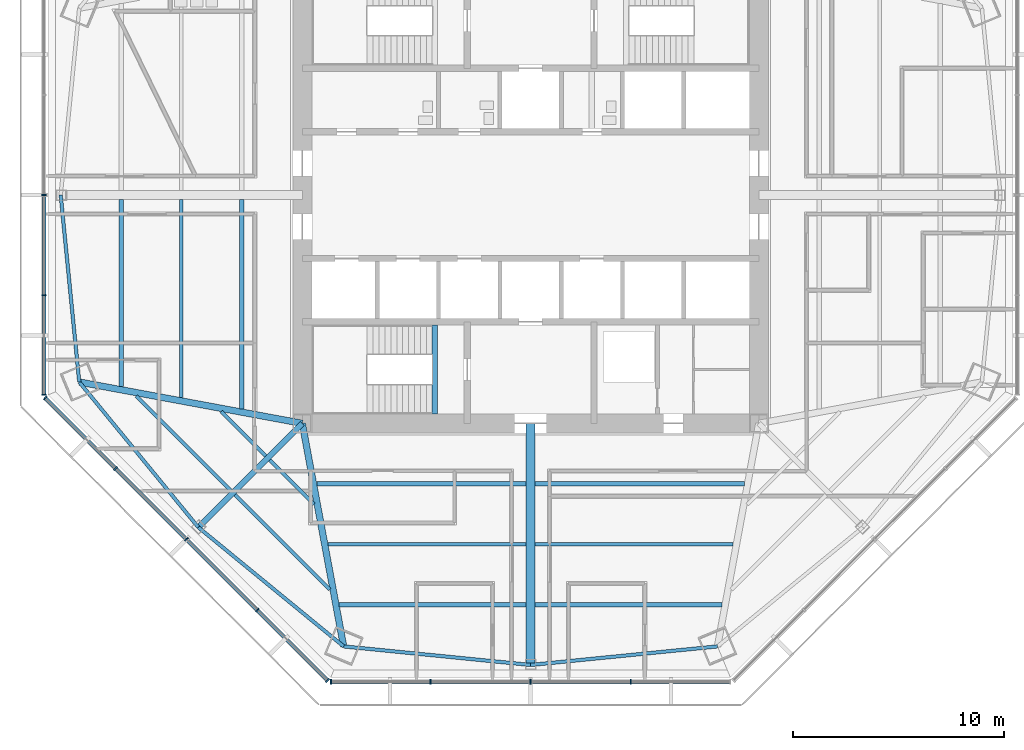
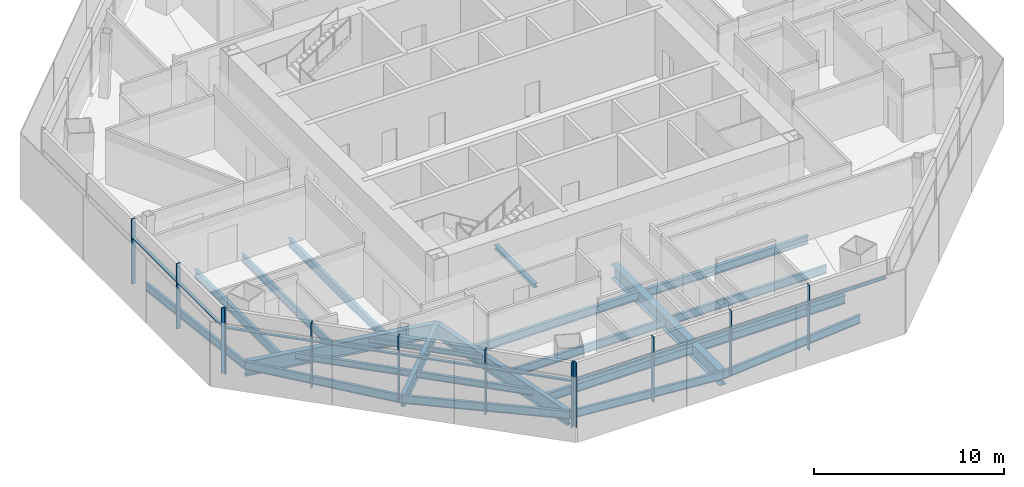
# One storey, part 2 of 15: 23 beams, 22 members, 3 elements without a shape of their own.
"""IFC4 building model written with IfcOpenShell, lengths in metres."""

from ifc_helpers import new_model, si_unit, direction, frame, origin, origin_2d, place, context, subcontext, project, spatial, rectangle, i_section, extrude, source, transform, mapped, material, material_profile, profile_set, type_object, type_shapes, element, aggregate, save


model = new_model("IFC4")

# Units and contexts
model_context = context("Model", 3, precision=1e-05, world=origin(), true_north=direction((0.0, 1.0)))
body_context = subcontext(model_context, "Body", "Model", "MODEL_VIEW")
ifc_project = project(units=[si_unit("LENGTHUNIT", "METRE"), si_unit("AREAUNIT", "SQUARE_METRE"), si_unit("VOLUMEUNIT", "CUBIC_METRE"), si_unit("PLANEANGLEUNIT", "RADIAN"), si_unit("MASSUNIT", "GRAM", prefix="KILO")], contexts=[model_context])

# Site, building, storey
site_placement = place(None, origin())
site = spatial("IfcSite", under=ifc_project, at=site_placement, CompositionType="ELEMENT")
building_placement = place(site_placement, origin())
building = spatial("IfcBuilding", under=site, at=building_placement, Name="Mashrafa Tower", CompositionType="ELEMENT")
storey_placement = place(building_placement, frame((0.0, 0.0, 176.39990234375)))
storey = spatial("IfcBuildingStorey", under=building, at=storey_placement, Name="L40", CompositionType="ELEMENT", Elevation=176.39990234375)

# Beams
ifc_material_1 = material(Name="Steel ASTM A992", Category="steel")
ifc_material_profile_1 = material_profile(ifc_material_1, i_section(OverallWidth=0.164794921875, OverallDepth=0.309814453125, WebThickness=0.005859375, FlangeThickness=0.009765625, FilletRadius=0.007568359375, at=origin_2d()), Name="W12X26")
ifc_profile_set_1 = profile_set([ifc_material_profile_1], Name="Steel ASTM A992")
beam_type_1 = type_object("IfcBeamType", Name="Beam W12X26", PredefinedType="BEAM", material=ifc_profile_set_1)
for number, where, z_axis, x_axis, name in (
    (1, (-12.53369140625, -12.34521484375, -0.31982421875), (-0.707106781187, 0.707106781187, 0.0), (-0.707106781187, -0.707106781187, 0.0), "Floor beam L40 011"),
    (2, (-10.24560546875, -14.63330078125, -0.31982421875), (-0.707106781187, 0.707106781187, 0.0), (-0.707106781187, -0.707106781187, 0.0), "Floor beam L40 014"),
):
    element("IfcBeam", number, at=place(storey_placement, frame(where, z_axis=z_axis, x_axis=x_axis)), inside=storey, type_object=beam_type_1, Name=name, PredefinedType="BEAM", context=body_context, shape_type="SweptSolid", body=[
        extrude(i_section(OverallWidth=0.164794921875, OverallDepth=0.309814453125, WebThickness=0.005859375, FlangeThickness=0.009765625, FilletRadius=0.007568359375, at=origin_2d()), origin(), (0.0, 0.0, 1.0), 2.96923828125),
    ])
ifc_material_2 = material(Name="Steel ASTM A992", Category="steel")
ifc_material_profile_2 = material_profile(ifc_material_2, i_section(OverallWidth=0.177734375, OverallDepth=0.406494140625, WebThickness=0.0078125, FlangeThickness=0.012939453125, FilletRadius=0.01025390625, at=origin_2d()), Name="W16X40")
ifc_profile_set_2 = profile_set([ifc_material_profile_2], Name="Steel ASTM A992")
beam_type_2 = type_object("IfcBeamType", Name="Beam W16X40", PredefinedType="BEAM", material=ifc_profile_set_2)
for number, where, z_axis, x_axis, name in (
    (3, (-14.17333984375, -13.984619140625, -0.3681640625), (-0.707126025591, 0.707087536258, 0.0), (-0.707087536258, -0.707126025591, 0.0), "Floor beam L40 007"),
    (4, (-9.49951171875, -18.65869140625, -0.3681640625), (-0.707087536258, 0.707126025591, 0.0), (-0.707126025591, -0.707087536258, 0.0), "Floor beam L40 016"),
):
    element("IfcBeam", number, at=place(storey_placement, frame(where, z_axis=z_axis, x_axis=x_axis)), inside=storey, type_object=beam_type_2, Name=name, PredefinedType="BEAM", context=body_context, shape_type="SweptSolid", body=[
        extrude(i_section(OverallWidth=0.177734375, OverallDepth=0.406494140625, WebThickness=0.0078125, FlangeThickness=0.012939453125, FilletRadius=0.01025390625, at=origin_2d()), origin(), (0.0, 0.0, 1.0), 6.343017578125),
    ])
ifc_material_3 = material(Name="Steel ASTM A992", Category="steel")
ifc_material_profile_3 = material_profile(ifc_material_3, i_section(OverallWidth=0.1650390625, OverallDepth=0.52587890625, WebThickness=0.0087890625, FlangeThickness=0.011474609375, FilletRadius=0.0126953125, at=origin_2d()), Name="W21X44")
ifc_profile_set_3 = profile_set([ifc_material_profile_3], Name="Steel ASTM A992")
beam_type_3 = type_object("IfcBeamType", Name="Beam W21X44", PredefinedType="BEAM", material=ifc_profile_set_3)
for number, where, z_axis, x_axis, name in (
    (5, (-16.5146484375, -9.584228515625, -0.427734375), (0.0, 1.0, 0.0), (-1.0, 0.0, 0.0), "Floor beam L40 004"),
    (6, (-0.20947265625, -16.5146484375, -0.427734375), (-1.0, 0.0, 0.0), (0.0, -1.0, 0.0), "Floor beam L40 019"),
    (7, (9.584228515625, -16.5146484375, -0.427734375), (-1.0, 0.0, 0.0), (0.0, -1.0, 0.0), "Floor beam L40 026"),
):
    element("IfcBeam", number, at=place(storey_placement, frame(where, z_axis=z_axis, x_axis=x_axis)), inside=storey, type_object=beam_type_3, Name=name, PredefinedType="BEAM", context=body_context, shape_type="SweptSolid", body=[
        extrude(i_section(OverallWidth=0.1650390625, OverallDepth=0.52587890625, WebThickness=0.0087890625, FlangeThickness=0.011474609375, FilletRadius=0.0126953125, at=origin_2d()), origin(), (0.0, 0.0, 1.0), 9.374755859375),
    ])
for number, where, z_axis, x_axis, name in (
    (8, (-22.229248046875, 0.0, -0.427734375), (0.098810141474, -0.99510630384, 0.0), (0.99510630384, 0.098810141474, 0.0), "Spandrel beam L40 057"),
    (9, (-21.35107421875, -8.843994140625, -0.427734375), (0.633774674835, -0.773517718955, 0.0), (0.773517718955, 0.633774674835, 0.0), "Spandrel beam L40 058"),
    (10, (-15.718505859375, -15.718505859375, -0.427734375), (0.773517718955, -0.633774674835, 0.0), (0.633774674835, 0.773517718955, 0.0), "Spandrel beam L40 060"),
    (11, (-8.843994140625, -21.35107421875, -0.427734375), (0.99510630384, -0.098810141474, 0.0), (0.098810141474, 0.99510630384, 0.0), "Spandrel beam L40 062"),
    (12, (0.0, -22.229248046875, -0.427734375), (0.99510630384, 0.098810141474, 0.0), (-0.098810141474, 0.99510630384, 0.0), "Spandrel beam L40 064"),
):
    element("IfcBeam", number, at=place(storey_placement, frame(where, z_axis=z_axis, x_axis=x_axis)), inside=storey, type_object=beam_type_3, Name=name, PredefinedType="BEAM", context=body_context, shape_type="SweptSolid", body=[
        extrude(i_section(OverallWidth=0.1650390625, OverallDepth=0.52587890625, WebThickness=0.0087890625, FlangeThickness=0.011474609375, FilletRadius=0.0126953125, at=origin_2d()), origin(), (0.0, 0.0, 1.0), 8.887451171875),
    ])
ifc_material_4 = material(Name="Steel ASTM A992", Category="steel")
ifc_material_profile_4 = material_profile(ifc_material_4, i_section(OverallWidth=0.209228515625, OverallDepth=0.533447265625, WebThickness=0.01025390625, FlangeThickness=0.015625, FilletRadius=0.012939453125, at=origin_2d()), Name="W21X62")
ifc_profile_set_4 = profile_set([ifc_material_profile_4], Name="Steel ASTM A992")
beam_type_4 = type_object("IfcBeamType", Name="Beam W21X62", PredefinedType="BEAM", material=ifc_profile_set_4)
beam_1_placement = place(storey_placement, frame((-19.3720703125, -9.054443359375, -0.431640625), z_axis=(0.0, 1.0, 0.0), x_axis=(-1.0, 0.0, 0.0)))
element("IfcBeam", 13, at=beam_1_placement, inside=storey, type_object=beam_type_4, Name="Floor beam L40 001", PredefinedType="BEAM", context=body_context, shape_type="SweptSolid", body=[
    extrude(i_section(OverallWidth=0.209228515625, OverallDepth=0.533447265625, WebThickness=0.01025390625, FlangeThickness=0.015625, FilletRadius=0.012939453125, at=origin_2d()), origin(), (0.0, 0.0, 1.0), 8.844970703125),
])
beam_2_placement = place(storey_placement, frame((-13.6572265625, -10.114013671875, -0.431640625), z_axis=(0.0, 1.0, 0.0), x_axis=(-1.0, 0.0, 0.0)))
element("IfcBeam", 14, at=beam_2_placement, inside=storey, type_object=beam_type_4, Name="Floor beam L40 009", PredefinedType="BEAM", context=body_context, shape_type="SweptSolid", body=[
    extrude(i_section(OverallWidth=0.209228515625, OverallDepth=0.533447265625, WebThickness=0.01025390625, FlangeThickness=0.015625, FilletRadius=0.012939453125, at=origin_2d()), origin(), (0.0, 0.0, 1.0), 9.904541015625),
])
beam_3_placement = place(storey_placement, frame((-0.20947265625, -19.3720703125, -0.431640625), z_axis=(-1.0, 0.0, 0.0), x_axis=(0.0, -1.0, 0.0)))
element("IfcBeam", 15, at=beam_3_placement, inside=storey, type_object=beam_type_4, Name="Floor beam L40 018", PredefinedType="BEAM", context=body_context, shape_type="SweptSolid", body=[
    extrude(i_section(OverallWidth=0.209228515625, OverallDepth=0.533447265625, WebThickness=0.01025390625, FlangeThickness=0.015625, FilletRadius=0.012939453125, at=origin_2d()), origin(), (0.0, 0.0, 1.0), 8.844970703125),
])
beam_4_placement = place(storey_placement, frame((-0.20947265625, -13.6572265625, -0.431640625), z_axis=(-1.0, 0.0, 0.0), x_axis=(0.0, -1.0, 0.0)))
element("IfcBeam", 16, at=beam_4_placement, inside=storey, type_object=beam_type_4, Name="Floor beam L40 020", PredefinedType="BEAM", context=body_context, shape_type="SweptSolid", body=[
    extrude(i_section(OverallWidth=0.209228515625, OverallDepth=0.533447265625, WebThickness=0.01025390625, FlangeThickness=0.015625, FilletRadius=0.012939453125, at=origin_2d()), origin(), (0.0, 0.0, 1.0), 9.904541015625),
])
beam_5_placement = place(storey_placement, frame((9.054443359375, -19.3720703125, -0.431640625), z_axis=(-1.0, 0.0, 0.0), x_axis=(0.0, -1.0, 0.0)))
element("IfcBeam", 17, at=beam_5_placement, inside=storey, type_object=beam_type_4, Name="Floor beam L40 024", PredefinedType="BEAM", context=body_context, shape_type="SweptSolid", body=[
    extrude(i_section(OverallWidth=0.209228515625, OverallDepth=0.533447265625, WebThickness=0.01025390625, FlangeThickness=0.015625, FilletRadius=0.012939453125, at=origin_2d()), origin(), (0.0, 0.0, 1.0), 8.844970703125),
])
beam_6_placement = place(storey_placement, frame((10.114013671875, -13.6572265625, -0.431640625), z_axis=(-1.0, 0.0, 0.0), x_axis=(0.0, -1.0, 0.0)))
element("IfcBeam", 18, at=beam_6_placement, inside=storey, type_object=beam_type_4, Name="Floor beam L40 028", PredefinedType="BEAM", context=body_context, shape_type="SweptSolid", body=[
    extrude(i_section(OverallWidth=0.209228515625, OverallDepth=0.533447265625, WebThickness=0.01025390625, FlangeThickness=0.015625, FilletRadius=0.012939453125, at=origin_2d()), origin(), (0.0, 0.0, 1.0), 9.904541015625),
])
ifc_material_5 = material(Name="Steel ASTM A992", Category="steel")
ifc_material_profile_5 = material_profile(ifc_material_5, i_section(OverallWidth=0.2666015625, OverallDepth=0.75439453125, WebThickness=0.01318359375, FlangeThickness=0.01708984375, FilletRadius=0.0166015625, at=origin_2d()), Name="W30X99")
ifc_profile_set_5 = profile_set([ifc_material_profile_5], Name="Steel ASTM A992")
beam_type_5 = type_object("IfcBeamType", Name="Beam W30X99", PredefinedType="BEAM", material=ifc_profile_set_5)
beam_7_placement = place(storey_placement, frame((-10.800048828125, -10.800048828125, -0.5419921875), z_axis=(-0.707106781187, -0.707106781187, 0.0), x_axis=(0.707106781187, -0.707106781187, 0.0)))
element("IfcBeam", 19, at=beam_7_placement, inside=storey, type_object=beam_type_5, Name="Radial girder L40 042", PredefinedType="BEAM", context=body_context, shape_type="SweptSolid", body=[
    extrude(i_section(OverallWidth=0.2666015625, OverallDepth=0.75439453125, WebThickness=0.01318359375, FlangeThickness=0.01708984375, FilletRadius=0.0166015625, at=origin_2d()), origin(), (0.0, 0.0, 1.0), 6.955810546875),
])
ifc_material_6 = material(Name="Steel ASTM A992", Category="steel")
ifc_material_profile_6 = material_profile(ifc_material_6, i_section(OverallWidth=0.307373046875, OverallDepth=0.927001953125, WebThickness=0.01953125, FlangeThickness=0.031982421875, FilletRadius=0.01904296875, at=origin_2d()), Name="W36X194")
ifc_profile_set_6 = profile_set([ifc_material_profile_6], Name="Steel ASTM A992")
beam_type_6 = type_object("IfcBeamType", Name="Beam W36X194", PredefinedType="BEAM", material=ifc_profile_set_6)
for number, where, z_axis, x_axis, name in (
    (20, (-10.800048828125, -10.800048828125, -0.62841796875), (-0.983245927501, 0.182283970917, 0.0), (-0.182283970917, -0.983245927501, 0.0), "Radial girder L40 041"),
    (21, (-10.800048828125, -10.800048828125, -0.62841796875), (0.182283970917, -0.983245927501, 0.0), (0.983245927501, 0.182283970917, 0.0), "Radial girder L40 043"),
):
    element("IfcBeam", number, at=place(storey_placement, frame(where, z_axis=z_axis, x_axis=x_axis)), inside=storey, type_object=beam_type_6, Name=name, PredefinedType="BEAM", context=body_context, shape_type="SweptSolid", body=[
        extrude(i_section(OverallWidth=0.307373046875, OverallDepth=0.927001953125, WebThickness=0.01953125, FlangeThickness=0.031982421875, FilletRadius=0.01904296875, at=origin_2d()), origin(), (0.0, 0.0, 1.0), 10.730712890625),
    ])
ifc_material_7 = material(Name="Steel ASTM A992", Category="steel")
ifc_material_profile_7 = material_profile(ifc_material_7, i_section(OverallWidth=0.419189453125, OverallDepth=0.927001953125, WebThickness=0.019287109375, FlangeThickness=0.031982421875, FilletRadius=0.020263671875, at=origin_2d()), Name="W36X231")
ifc_profile_set_7 = profile_set([ifc_material_profile_7], Name="Steel ASTM A992")
beam_type_7 = type_object("IfcBeamType", Name="Beam W36X231", PredefinedType="BEAM", material=ifc_profile_set_7)
beam_8_placement = place(storey_placement, frame((0.0, -10.800048828125, -0.62841796875), z_axis=(0.0, -1.0, 0.0), x_axis=(1.0, 0.0, 0.0)))
element("IfcBeam", 22, at=beam_8_placement, inside=storey, type_object=beam_type_7, Name="Radial girder L40 048", PredefinedType="BEAM", context=body_context, shape_type="SweptSolid", body=[
    extrude(i_section(OverallWidth=0.419189453125, OverallDepth=0.927001953125, WebThickness=0.019287109375, FlangeThickness=0.031982421875, FilletRadius=0.020263671875, at=origin_2d()), origin(), (0.0, 0.0, 1.0), 11.42919921875),
])
ifc_material_8 = material(Name="Steel ASTM A992", Category="steel")
ifc_material_profile_8 = material_profile(ifc_material_8, i_section(OverallWidth=0.25390625, OverallDepth=0.25390625, WebThickness=0.008544921875, FlangeThickness=0.01416015625, FilletRadius=0.010009765625, at=origin_2d()), Name="W10X49")
ifc_profile_set_8 = profile_set([ifc_material_profile_8], Name="Steel ASTM A992")
beam_type_8 = type_object("IfcBeamType", Name="Hoistway beam W10X49", PredefinedType="BEAM", material=ifc_profile_set_8)
beam_9_placement = place(storey_placement, frame((-4.530029296875, -10.35009765625, -0.326904296875), z_axis=(0.0, 1.0, 0.0), x_axis=(-1.0, 0.0, 0.0)))
element("IfcBeam", 23, at=beam_9_placement, inside=storey, type_object=beam_type_8, Name="Stair S3 landing beam L40", PredefinedType="BEAM", context=body_context, shape_type="SweptSolid", body=[
    extrude(i_section(OverallWidth=0.25390625, OverallDepth=0.25390625, WebThickness=0.008544921875, FlangeThickness=0.01416015625, FilletRadius=0.010009765625, at=origin_2d()), origin(), (0.0, 0.0, 1.0), 4.2001953125),
])

# Curtain wall, members
ifc_material_9 = material(Name="Unitised aluminium curtain wall", Category="aluminium")
curtain_wall_type = type_object("IfcCurtainWallType", Name="Office curtain wall, zone 2 CW-B 225 deep", PredefinedType="NOTDEFINED", material=ifc_material_9)
curtain_wall_1_placement = place(storey_placement, origin())
curtain_wall_1 = element("IfcCurtainWall", 24, at=curtain_wall_1_placement, inside=storey, type_object=curtain_wall_type, Name="Office curtain wall, zone 2 L40 west", PredefinedType="NOTDEFINED")
ifc_material_10 = material(Name="Extruded aluminium mullion", Category="aluminium")
ifc_material_profile_9 = material_profile(ifc_material_10, rectangle(XDim=0.22509765625, YDim=0.06494140625, at=origin_2d()), Name="Mullion 65x225")
ifc_profile_set_9 = profile_set([ifc_material_profile_9], Name="Extruded aluminium mullion")
member_type_1 = type_object("IfcMemberType", Name="Mullion CW-B 65 x 225", PredefinedType="MULLION", material=ifc_profile_set_9)
shared_shape_1 = source(origin(), body_context, "Body", "SweptSolid", [
    extrude(rectangle(XDim=0.22509765625, YDim=0.06494140625, at=origin_2d()), origin(), (0.0, 0.0, 1.0), 4.2001953125),
])
type_shapes(member_type_1, [shared_shape_1])
member_1_placement = place(storey_placement, frame((-23.024658203125, 0.0, 0.0), z_axis=(0.0, 0.0, 1.0), x_axis=(1.0, 0.0, 0.0)))
member_1 = element("IfcMember", 25, at=member_1_placement, type_object=member_type_1, Name="CW-B mullion 3", PredefinedType="MULLION", context=body_context, shape_type="MappedRepresentation", body=[
    mapped(shared_shape_1, transform((0.0, 0.0, 0.0))),
])
member_2_placement = place(storey_placement, frame((-23.024658203125, -4.740234375, 0.0), z_axis=(0.0, 0.0, 1.0), x_axis=(1.0, 0.0, 0.0)))
member_2 = element("IfcMember", 26, at=member_2_placement, type_object=member_type_1, Name="CW-B mullion 4", PredefinedType="MULLION", context=body_context, shape_type="MappedRepresentation", body=[
    mapped(shared_shape_1, transform((0.0, 0.0, 0.0))),
])
member_3_placement = place(storey_placement, frame((-23.024658203125, -9.447998046875, 0.0), z_axis=(0.0, 0.0, 1.0), x_axis=(1.0, 0.0, 0.0)))
member_3 = element("IfcMember", 27, at=member_3_placement, type_object=member_type_1, Name="CW-B mullion 5", PredefinedType="MULLION", context=body_context, shape_type="MappedRepresentation", body=[
    mapped(shared_shape_1, transform((0.0, 0.0, 0.0))),
])

curtain_wall_2_placement = place(storey_placement, origin())
curtain_wall_2 = element("IfcCurtainWall", 28, at=curtain_wall_2_placement, inside=storey, type_object=curtain_wall_type, Name="Office curtain wall, zone 2 L40 south-west", PredefinedType="NOTDEFINED")
member_4_placement = place(storey_placement, frame((-22.961669921875, -9.60009765625, 0.0), z_axis=(0.0, 0.0, 1.0), x_axis=(0.707106781187, 0.707106781187, 0.0)))
member_4 = element("IfcMember", 29, at=member_4_placement, type_object=member_type_1, Name="CW-B mullion 1", PredefinedType="MULLION", context=body_context, shape_type="MappedRepresentation", body=[
    mapped(shared_shape_1, transform((0.0, 0.0, 0.0))),
])
member_5_placement = place(storey_placement, frame((-19.6328125, -12.928955078125, 0.0), z_axis=(0.0, 0.0, 1.0), x_axis=(0.707106781187, 0.707106781187, 0.0)))
member_5 = element("IfcMember", 30, at=member_5_placement, type_object=member_type_1, Name="CW-B mullion 2", PredefinedType="MULLION", context=body_context, shape_type="MappedRepresentation", body=[
    mapped(shared_shape_1, transform((0.0, 0.0, 0.0))),
])
member_6_placement = place(storey_placement, frame((-16.28076171875, -16.28076171875, 0.0), z_axis=(0.0, 0.0, 1.0), x_axis=(0.707106781187, 0.707106781187, 0.0)))
member_6 = element("IfcMember", 31, at=member_6_placement, type_object=member_type_1, Name="CW-B mullion 3", PredefinedType="MULLION", context=body_context, shape_type="MappedRepresentation", body=[
    mapped(shared_shape_1, transform((0.0, 0.0, 0.0))),
])
member_7_placement = place(storey_placement, frame((-12.928955078125, -19.6328125, 0.0), z_axis=(0.0, 0.0, 1.0), x_axis=(0.707106781187, 0.707106781187, 0.0)))
member_7 = element("IfcMember", 32, at=member_7_placement, type_object=member_type_1, Name="CW-B mullion 4", PredefinedType="MULLION", context=body_context, shape_type="MappedRepresentation", body=[
    mapped(shared_shape_1, transform((0.0, 0.0, 0.0))),
])
member_8_placement = place(storey_placement, frame((-9.60009765625, -22.961669921875, 0.0), z_axis=(0.0, 0.0, 1.0), x_axis=(0.707106781187, 0.707106781187, 0.0)))
member_8 = element("IfcMember", 33, at=member_8_placement, type_object=member_type_1, Name="CW-B mullion 5", PredefinedType="MULLION", context=body_context, shape_type="MappedRepresentation", body=[
    mapped(shared_shape_1, transform((0.0, 0.0, 0.0))),
])

curtain_wall_3_placement = place(storey_placement, origin())
curtain_wall_3 = element("IfcCurtainWall", 34, at=curtain_wall_3_placement, inside=storey, type_object=curtain_wall_type, Name="Office curtain wall, zone 2 L40 south", PredefinedType="NOTDEFINED")
member_9_placement = place(storey_placement, frame((-9.447998046875, -23.024658203125, 0.0), z_axis=(0.0, 0.0, 1.0), x_axis=(0.0, 1.0, 0.0)))
member_9 = element("IfcMember", 35, at=member_9_placement, type_object=member_type_1, Name="CW-B mullion 1", PredefinedType="MULLION", context=body_context, shape_type="MappedRepresentation", body=[
    mapped(shared_shape_1, transform((0.0, 0.0, 0.0))),
])
member_10_placement = place(storey_placement, frame((-4.740234375, -23.024658203125, 0.0), z_axis=(0.0, 0.0, 1.0), x_axis=(0.0, 1.0, 0.0)))
member_10 = element("IfcMember", 36, at=member_10_placement, type_object=member_type_1, Name="CW-B mullion 2", PredefinedType="MULLION", context=body_context, shape_type="MappedRepresentation", body=[
    mapped(shared_shape_1, transform((0.0, 0.0, 0.0))),
])
member_11_placement = place(storey_placement, frame((0.0, -23.024658203125, 0.0), z_axis=(0.0, 0.0, 1.0), x_axis=(0.0, 1.0, 0.0)))
member_11 = element("IfcMember", 37, at=member_11_placement, type_object=member_type_1, Name="CW-B mullion 3", PredefinedType="MULLION", context=body_context, shape_type="MappedRepresentation", body=[
    mapped(shared_shape_1, transform((0.0, 0.0, 0.0))),
])
member_12_placement = place(storey_placement, frame((4.740234375, -23.024658203125, 0.0), z_axis=(0.0, 0.0, 1.0), x_axis=(0.0, 1.0, 0.0)))
member_12 = element("IfcMember", 38, at=member_12_placement, type_object=member_type_1, Name="CW-B mullion 4", PredefinedType="MULLION", context=body_context, shape_type="MappedRepresentation", body=[
    mapped(shared_shape_1, transform((0.0, 0.0, 0.0))),
])

# Member
ifc_material_11 = material(Name="Extruded aluminium transom", Category="aluminium")
ifc_material_profile_10 = material_profile(ifc_material_11, rectangle(XDim=0.179931640625, YDim=0.080078125, at=origin_2d()), Name="Transom 80x180")
ifc_profile_set_10 = profile_set([ifc_material_profile_10], Name="Extruded aluminium transom")
member_type_2 = type_object("IfcMemberType", Name="Transom CW-B 80 x 180", PredefinedType="MULLION", material=ifc_profile_set_10)
shared_shape_2 = source(origin(), body_context, "Body", "SweptSolid", [
    extrude(rectangle(XDim=0.179931640625, YDim=0.080078125, at=origin_2d()), origin(), (0.0, 0.0, 1.0), 4.642822265625),
])
member_13_placement = place(storey_placement, frame((-23.024658203125, -4.772705078125, 3.0), z_axis=(0.0, -1.0, 0.0), x_axis=(1.0, 0.0, 0.0)))
member_13 = element("IfcMember", 39, at=member_13_placement, type_object=member_type_2, Name="CW-B transom 4", PredefinedType="MULLION", context=body_context, shape_type="MappedRepresentation", body=[
    mapped(shared_shape_2, transform((0.0, 0.0, 0.0))),
])

member_14_placement = place(storey_placement, frame((-22.938720703125, -9.623046875, 3.0), z_axis=(0.707106781187, -0.707106781187, 0.0), x_axis=(0.707106781187, 0.707106781187, 0.0)))
member_14 = element("IfcMember", 40, at=member_14_placement, type_object=member_type_2, Name="CW-B transom 1", PredefinedType="MULLION", context=body_context, shape_type="MappedRepresentation", body=[
    mapped(shared_shape_2, transform((0.0, 0.0, 0.0))),
])

member_15_placement = place(storey_placement, frame((-12.906005859375, -19.65576171875, 3.0), z_axis=(0.707106781187, -0.707106781187, 0.0), x_axis=(0.707106781187, 0.707106781187, 0.0)))
member_15 = element("IfcMember", 41, at=member_15_placement, type_object=member_type_2, Name="CW-B transom 4", PredefinedType="MULLION", context=body_context, shape_type="MappedRepresentation", body=[
    mapped(shared_shape_2, transform((0.0, 0.0, 0.0))),
])

member_16_placement = place(storey_placement, frame((-9.41552734375, -23.024658203125, 3.0), z_axis=(1.0, 0.0, 0.0), x_axis=(0.0, 1.0, 0.0)))
member_16 = element("IfcMember", 42, at=member_16_placement, type_object=member_type_2, Name="CW-B transom 1", PredefinedType="MULLION", context=body_context, shape_type="MappedRepresentation", body=[
    mapped(shared_shape_2, transform((0.0, 0.0, 0.0))),
])

member_17_placement = place(storey_placement, frame((4.772705078125, -23.024658203125, 3.0), z_axis=(1.0, 0.0, 0.0), x_axis=(0.0, 1.0, 0.0)))
member_17 = element("IfcMember", 43, at=member_17_placement, type_object=member_type_2, Name="CW-B transom 4", PredefinedType="MULLION", context=body_context, shape_type="MappedRepresentation", body=[
    mapped(shared_shape_2, transform((0.0, 0.0, 0.0))),
])

shared_shape_3 = source(origin(), body_context, "Body", "SweptSolid", [
    extrude(rectangle(XDim=0.179931640625, YDim=0.080078125, at=origin_2d()), origin(), (0.0, 0.0, 1.0), 4.67529296875),
])
type_shapes(member_type_2, [shared_shape_2, shared_shape_3])
member_18_placement = place(storey_placement, frame((-23.024658203125, -0.032470703125, 3.0), z_axis=(0.0, -1.0, 0.0), x_axis=(1.0, 0.0, 0.0)))
member_18 = element("IfcMember", 44, at=member_18_placement, type_object=member_type_2, Name="CW-B transom 3", PredefinedType="MULLION", context=body_context, shape_type="MappedRepresentation", body=[
    mapped(shared_shape_3, transform((0.0, 0.0, 0.0))),
])

aggregate(curtain_wall_1, [member_1, member_2, member_3, member_18, member_13])

member_19_placement = place(storey_placement, frame((-19.60986328125, -12.951904296875, 3.0), z_axis=(0.707106781187, -0.707106781187, 0.0), x_axis=(0.707106781187, 0.707106781187, 0.0)))
member_19 = element("IfcMember", 45, at=member_19_placement, type_object=member_type_2, Name="CW-B transom 2", PredefinedType="MULLION", context=body_context, shape_type="MappedRepresentation", body=[
    mapped(shared_shape_3, transform((0.0, 0.0, 0.0))),
])

member_20_placement = place(storey_placement, frame((-16.2578125, -16.303955078125, 3.0), z_axis=(0.707106781187, -0.707106781187, 0.0), x_axis=(0.707106781187, 0.707106781187, 0.0)))
member_20 = element("IfcMember", 46, at=member_20_placement, type_object=member_type_2, Name="CW-B transom 3", PredefinedType="MULLION", context=body_context, shape_type="MappedRepresentation", body=[
    mapped(shared_shape_3, transform((0.0, 0.0, 0.0))),
])

aggregate(curtain_wall_2, [member_4, member_5, member_6, member_7, member_8, member_14, member_19, member_20, member_15])

member_21_placement = place(storey_placement, frame((-4.707763671875, -23.024658203125, 3.0), z_axis=(1.0, 0.0, 0.0), x_axis=(0.0, 1.0, 0.0)))
member_21 = element("IfcMember", 47, at=member_21_placement, type_object=member_type_2, Name="CW-B transom 2", PredefinedType="MULLION", context=body_context, shape_type="MappedRepresentation", body=[
    mapped(shared_shape_3, transform((0.0, 0.0, 0.0))),
])

member_22_placement = place(storey_placement, frame((0.032470703125, -23.024658203125, 3.0), z_axis=(1.0, 0.0, 0.0), x_axis=(0.0, 1.0, 0.0)))
member_22 = element("IfcMember", 48, at=member_22_placement, type_object=member_type_2, Name="CW-B transom 3", PredefinedType="MULLION", context=body_context, shape_type="MappedRepresentation", body=[
    mapped(shared_shape_3, transform((0.0, 0.0, 0.0))),
])

aggregate(curtain_wall_3, [member_9, member_10, member_11, member_12, member_16, member_21, member_22, member_17])

save(model, "model.ifc")
